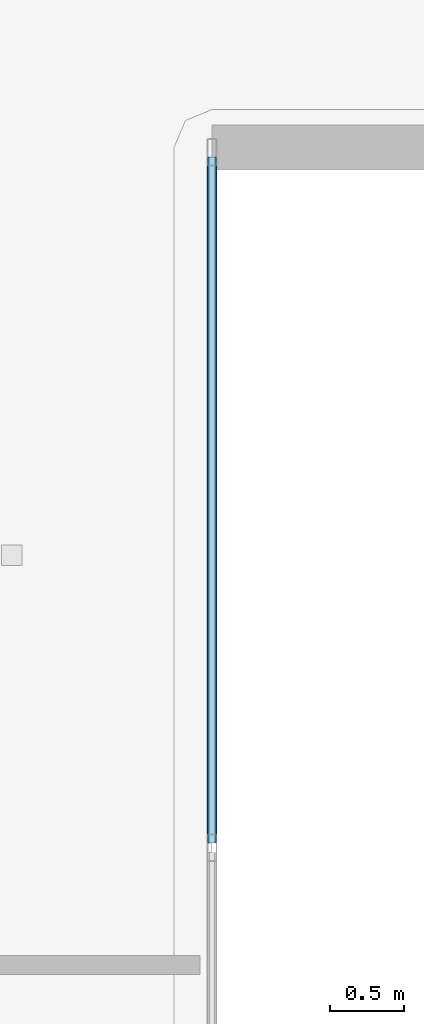
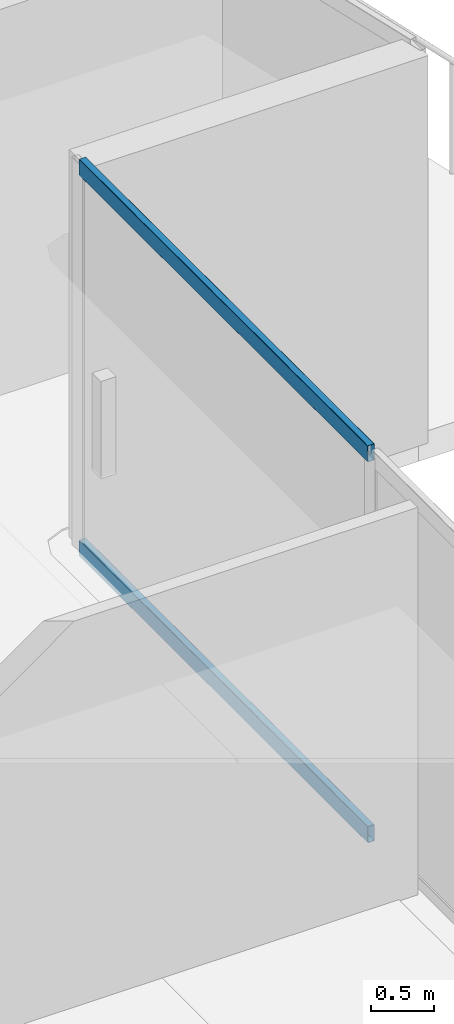
# One storey, part 12 of 35: 2 members, 1 element without a shape of its own.
"""IFC4 building model written with IfcOpenShell, lengths in metres."""

from ifc_helpers import new_model, si_unit, direction, frame, origin, origin_2d, place, context, subcontext, project, spatial, hollow_rectangle, extrude, material, layer, layer_set, material_profile, profile_set, type_object, element, aggregate, save


model = new_model("IFC4")

# Units and contexts
model_context = context("Model", 3, precision=1e-05, world=origin(), true_north=direction((0.0, 1.0)))
body_context = subcontext(model_context, "Body", "Model", "MODEL_VIEW")
ifc_project = project(units=[si_unit("LENGTHUNIT", "METRE"), si_unit("AREAUNIT", "SQUARE_METRE"), si_unit("VOLUMEUNIT", "CUBIC_METRE"), si_unit("PLANEANGLEUNIT", "RADIAN"), si_unit("MASSUNIT", "GRAM", prefix="KILO")], contexts=[model_context])

# Site, building, storey
site_placement = place(None, origin())
site = spatial("IfcSite", under=ifc_project, at=site_placement, CompositionType="ELEMENT")
building_placement = place(site_placement, origin())
building = spatial("IfcBuilding", under=site, at=building_placement, Name="Qorvath Tower", CompositionType="ELEMENT")
storey_placement = place(building_placement, frame((0.0, 0.0, 166.5)))
storey = spatial("IfcBuildingStorey", under=building, at=storey_placement, Name="L38", CompositionType="ELEMENT", Elevation=166.5)

# Curtain wall, members
ifc_material_1 = material(Name="Anodised aluminium and triple low-E glass", Category="aluminium")
ifc_layer = layer(ifc_material_1, 0.179931640625)
ifc_layer_set = layer_set([ifc_layer], Name="CW-SYS-3")
curtain_wall_type = type_object("IfcCurtainWallType", Name="CW-SYS-3", PredefinedType="NOTDEFINED", material=ifc_layer_set)
curtain_wall_placement = place(storey_placement, origin())
curtain_wall = element("IfcCurtainWall", 1, at=curtain_wall_placement, inside=storey, type_object=curtain_wall_type, Name="Curtain Wall CW-3 CW-T-L38-9.1", PredefinedType="NOTDEFINED")
ifc_material_2 = material(Name="Anodised aluminium 6063-T6", Category="aluminium")
ifc_material_profile = material_profile(ifc_material_2, hollow_rectangle(XDim=0.06494140625, YDim=0.159912109375, WallThickness=0.00341796875, InnerFilletRadius=0.00341796875, OuterFilletRadius=0.007080078125, at=origin_2d()), Name="CWT 160x65")
ifc_profile_set = profile_set([ifc_material_profile], Name="Anodised aluminium 6063-T6")
member_type = type_object("IfcMemberType", Name="CWT-160", PredefinedType="USERDEFINED", material=ifc_profile_set)
member_1_placement = place(storey_placement, frame((-0.183837890625, 0.032470703125, 0.032470703125), z_axis=(0.0, 1.0, 0.0), x_axis=(-1.0, 0.0, 0.0)))
member_1 = element("IfcMember", 2, at=member_1_placement, type_object=member_type, Name="CW-3 transom 2.1", ObjectType="TRANSOM", PredefinedType="USERDEFINED", context=body_context, shape_type="SweptSolid", body=[
    extrude(hollow_rectangle(XDim=0.06494140625, YDim=0.159912109375, WallThickness=0.00341796875, InnerFilletRadius=0.00341796875, OuterFilletRadius=0.007080078125, at=origin_2d()), origin(), (0.0, 0.0, 1.0), 4.611328125),
])
member_2_placement = place(storey_placement, frame((-0.183837890625, 0.032470703125, 3.74755859375), z_axis=(0.0, 1.0, 0.0), x_axis=(-1.0, 0.0, 0.0)))
member_2 = element("IfcMember", 3, at=member_2_placement, type_object=member_type, Name="CW-3 transom 2.2", ObjectType="TRANSOM", PredefinedType="USERDEFINED", context=body_context, shape_type="SweptSolid", body=[
    extrude(hollow_rectangle(XDim=0.06494140625, YDim=0.159912109375, WallThickness=0.00341796875, InnerFilletRadius=0.00341796875, OuterFilletRadius=0.007080078125, at=origin_2d()), origin(), (0.0, 0.0, 1.0), 4.611328125),
])
aggregate(curtain_wall, [member_1, member_2])

save(model, "model.ifc")
